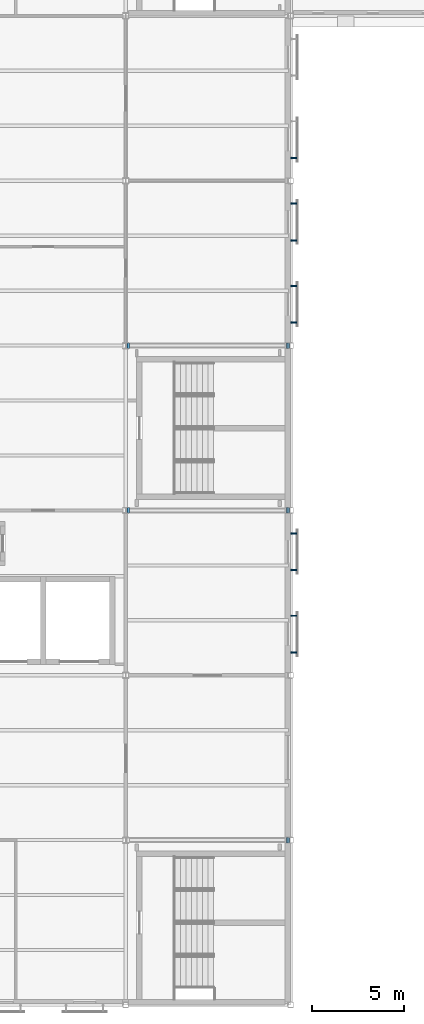
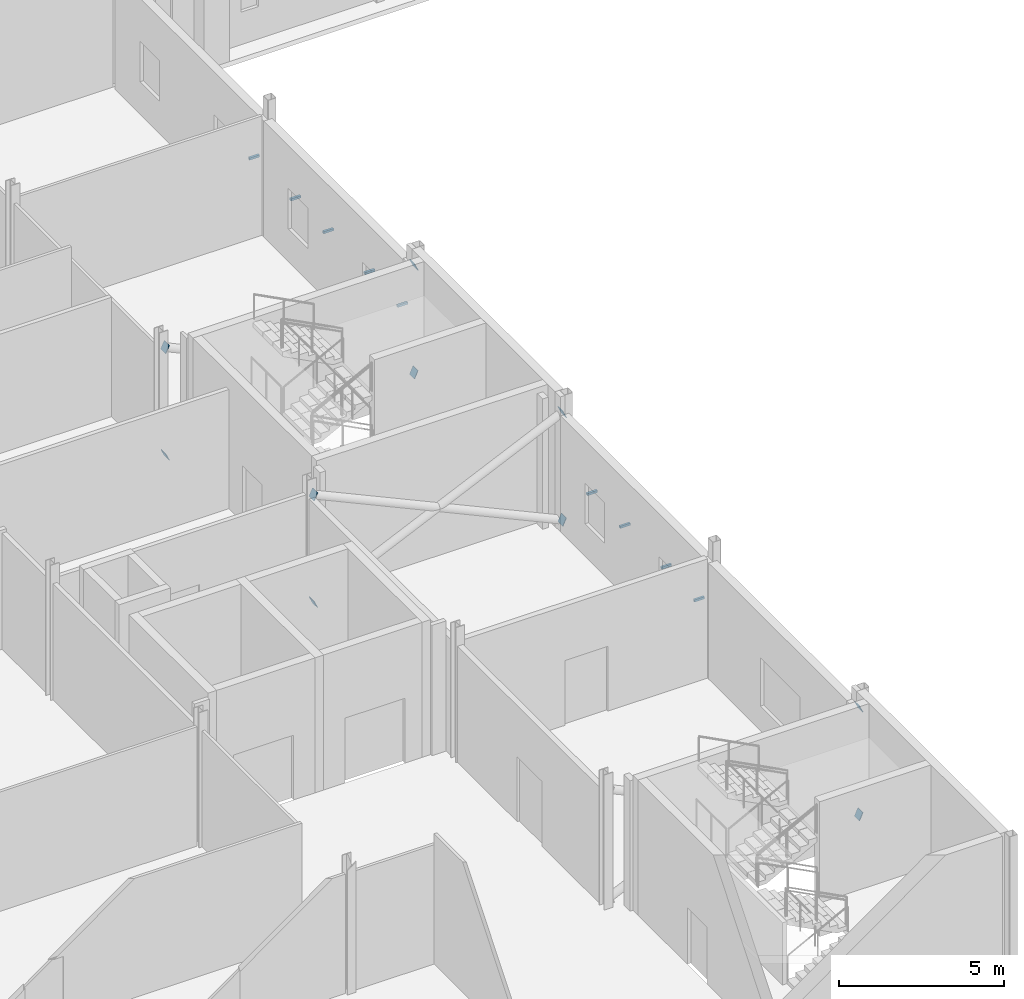
# One storey, part 98 of 112: 19 discrete accessories.
"""IFC4 building model written with IfcOpenShell, lengths in metres."""

from ifc_helpers import new_model, si_unit, direction, frame, origin, origin_2d, place, context, subcontext, project, spatial, polyline, rectangle, outline, extrude, material, layer, layer_set, type_object, element, save


model = new_model("IFC4")

# Units and contexts
model_context = context("Model", 3, precision=1e-05, world=origin(), true_north=direction((0.0, 1.0)))
body_context = subcontext(model_context, "Body", "Model", "MODEL_VIEW")
ifc_project = project(units=[si_unit("LENGTHUNIT", "METRE"), si_unit("AREAUNIT", "SQUARE_METRE"), si_unit("VOLUMEUNIT", "CUBIC_METRE"), si_unit("PLANEANGLEUNIT", "RADIAN"), si_unit("MASSUNIT", "GRAM", prefix="KILO")], contexts=[model_context])

# Site, building, storey
site_placement = place(None, origin())
site = spatial("IfcSite", under=ifc_project, at=site_placement, CompositionType="ELEMENT")
building_placement = place(site_placement, origin())
building = spatial("IfcBuilding", under=site, at=building_placement, Name="Shorebreak Coast Museum", CompositionType="ELEMENT")
storey_placement = place(building_placement, frame((0.0, 0.0, 6.0)))
storey = spatial("IfcBuildingStorey", under=building, at=storey_placement, Name="L01", CompositionType="ELEMENT", Elevation=6.0)

# Discrete accessories
ifc_material_1 = material(Name="Steel Grade 300", Category="steel")
ifc_layer = layer(ifc_material_1, 0.02490234375)
ifc_layer_set = layer_set([ifc_layer], Name="Steel Grade 300")
discrete_accessory_type_1 = type_object("IfcDiscreteAccessoryType", Name="End plate 300 x 300 x 25", PredefinedType="BRACKET", material=ifc_layer_set)
discrete_accessory_1_placement = place(storey_placement, frame((116.93505859375, 8.85009765625, 4.14892578125), z_axis=(0.909500839953, 0.0, 0.415702083378), x_axis=(0.0, 1.0, 0.0)))
element("IfcDiscreteAccessory", 1, at=discrete_accessory_1_placement, inside=storey, type_object=discrete_accessory_type_1, Name="End plate X-brace bay 14 L01 diagonal 1 end 2", PredefinedType="BRACKET", context=body_context, shape_type="SweptSolid", body=[
    extrude(outline(polyline([(0.0, 0.0), (0.2998046875, 0.0), (0.2998046875, 0.30010881437343706), (0.0, 0.30010881437343706), (0.0, 0.0)])), origin(), (0.0, 0.0, -1.0), 0.02490234375),
])
for number, where, z_axis, x_axis, name in (
    (2, (116.78759765625, 9.14990234375, 0.16357421875), (-0.909360103086, 0.0, 0.416009859156), (0.0, -1.0, 0.0), "End plate X-brace bay 14 L01 diagonal 2 end 1"),
    (3, (108.216796875, 26.85009765625, 0.16357421875), (0.909360103086, 0.0, 0.416009859156), (0.0, 1.0, 0.0), "End plate X-brace bay 17 L01 diagonal 1 end 1"),
):
    element("IfcDiscreteAccessory", number, at=place(storey_placement, frame(where, z_axis=z_axis, x_axis=x_axis)), inside=storey, type_object=discrete_accessory_type_1, Name=name, PredefinedType="BRACKET", context=body_context, shape_type="SweptSolid", body=[
        extrude(outline(polyline([(0.0, 0.0), (0.2998046875, 0.0), (0.2998046875, 0.29988678544336883), (0.0, 0.29988678544336883), (0.0, 0.0)])), origin(), (0.0, 0.0, -1.0), 0.02490234375),
    ])
discrete_accessory_2_placement = place(storey_placement, frame((116.93505859375, 26.85009765625, 4.14892578125), z_axis=(0.909500839953, 0.0, 0.415702083378), x_axis=(0.0, 1.0, 0.0)))
element("IfcDiscreteAccessory", 4, at=discrete_accessory_2_placement, inside=storey, type_object=discrete_accessory_type_1, Name="End plate X-brace bay 17 L01 diagonal 1 end 2", PredefinedType="BRACKET", context=body_context, shape_type="SweptSolid", body=[
    extrude(outline(polyline([(0.0, 0.0), (0.2998046875, 0.0), (0.2998046875, 0.30010881437343706), (0.0, 0.30010881437343706), (0.0, 0.0)])), origin(), (0.0, 0.0, -1.0), 0.02490234375),
])
discrete_accessory_3_placement = place(storey_placement, frame((116.78759765625, 27.14990234375, 0.16357421875), z_axis=(-0.909360103086, 0.0, 0.416009859156), x_axis=(0.0, -1.0, 0.0)))
element("IfcDiscreteAccessory", 5, at=discrete_accessory_3_placement, inside=storey, type_object=discrete_accessory_type_1, Name="End plate X-brace bay 17 L01 diagonal 2 end 1", PredefinedType="BRACKET", context=body_context, shape_type="SweptSolid", body=[
    extrude(outline(polyline([(0.0, 0.0), (0.2998046875, 0.0), (0.2998046875, 0.29988678544336883), (0.0, 0.29988678544336883), (0.0, 0.0)])), origin(), (0.0, 0.0, -1.0), 0.02490234375),
])
discrete_accessory_4_placement = place(storey_placement, frame((108.0693359375, 27.14990234375, 4.14892578125), z_axis=(-0.909500839953, 0.0, 0.415702083378), x_axis=(0.0, -1.0, 0.0)))
element("IfcDiscreteAccessory", 6, at=discrete_accessory_4_placement, inside=storey, type_object=discrete_accessory_type_1, Name="End plate X-brace bay 17 L01 diagonal 2 end 2", PredefinedType="BRACKET", context=body_context, shape_type="SweptSolid", body=[
    extrude(outline(polyline([(0.0, 0.0), (0.2998046875, 0.0), (0.2998046875, 0.30010881437343706), (0.0, 0.30010881437343706), (0.0, 0.0)])), origin(), (0.0, 0.0, -1.0), 0.02490234375),
])
discrete_accessory_5_placement = place(storey_placement, frame((108.216796875, 35.85009765625, 0.16357421875), z_axis=(0.909360103086, 0.0, 0.416009859156), x_axis=(0.0, 1.0, 0.0)))
element("IfcDiscreteAccessory", 7, at=discrete_accessory_5_placement, inside=storey, type_object=discrete_accessory_type_1, Name="End plate X-brace bay 18 L01 diagonal 1 end 1", PredefinedType="BRACKET", context=body_context, shape_type="SweptSolid", body=[
    extrude(outline(polyline([(0.0, 0.0), (0.2998046875, 0.0), (0.2998046875, 0.29988678544336883), (0.0, 0.29988678544336883), (0.0, 0.0)])), origin(), (0.0, 0.0, -1.0), 0.02490234375),
])
discrete_accessory_6_placement = place(storey_placement, frame((116.93505859375, 35.85009765625, 4.14892578125), z_axis=(0.909500839953, 0.0, 0.415702083378), x_axis=(0.0, 1.0, 0.0)))
element("IfcDiscreteAccessory", 8, at=discrete_accessory_6_placement, inside=storey, type_object=discrete_accessory_type_1, Name="End plate X-brace bay 18 L01 diagonal 1 end 2", PredefinedType="BRACKET", context=body_context, shape_type="SweptSolid", body=[
    extrude(outline(polyline([(0.0, 0.0), (0.2998046875, 0.0), (0.2998046875, 0.30010881437343706), (0.0, 0.30010881437343706), (0.0, 0.0)])), origin(), (0.0, 0.0, -1.0), 0.02490234375),
])
discrete_accessory_7_placement = place(storey_placement, frame((116.78759765625, 36.14990234375, 0.16357421875), z_axis=(-0.909360103086, 0.0, 0.416009859156), x_axis=(0.0, -1.0, 0.0)))
element("IfcDiscreteAccessory", 9, at=discrete_accessory_7_placement, inside=storey, type_object=discrete_accessory_type_1, Name="End plate X-brace bay 18 L01 diagonal 2 end 1", PredefinedType="BRACKET", context=body_context, shape_type="SweptSolid", body=[
    extrude(outline(polyline([(0.0, 0.0), (0.2998046875, 0.0), (0.2998046875, 0.29988678544336883), (0.0, 0.29988678544336883), (0.0, 0.0)])), origin(), (0.0, 0.0, -1.0), 0.02490234375),
])
discrete_accessory_8_placement = place(storey_placement, frame((108.0693359375, 36.14990234375, 4.14892578125), z_axis=(-0.909500839953, 0.0, 0.415702083378), x_axis=(0.0, -1.0, 0.0)))
element("IfcDiscreteAccessory", 10, at=discrete_accessory_8_placement, inside=storey, type_object=discrete_accessory_type_1, Name="End plate X-brace bay 18 L01 diagonal 2 end 2", PredefinedType="BRACKET", context=body_context, shape_type="SweptSolid", body=[
    extrude(outline(polyline([(0.0, 0.0), (0.2998046875, 0.0), (0.2998046875, 0.30010881437343706), (0.0, 0.30010881437343706), (0.0, 0.0)])), origin(), (0.0, 0.0, -1.0), 0.02490234375),
])
ifc_material_2 = material(Name="Aluminium", Category="aluminium")
discrete_accessory_type_2 = type_object("IfcDiscreteAccessoryType", Name="Fixing bracket 80 x 350", PredefinedType="BRACKET", material=ifc_material_2)
for number, where, z_axis, x_axis, name in (
    (11, (117.175048828125, 19.25, 1.909912109375), (0.0, 0.0, 1.0), (1.0, 0.0, 0.0), "Fixing bracket"),
    (12, (117.175048828125, 21.25, 1.909912109375), (0.0, 0.0, 1.0), (1.0, 0.0, 0.0), "Fixing bracket"),
    (13, (117.175048828125, 23.75, 1.909912109375), (0.0, 0.0, 1.0), (1.0, 0.0, 0.0), "Fixing bracket"),
    (14, (117.175048828125, 25.75, 1.909912109375), (0.0, 0.0, 1.0), (1.0, 0.0, 0.0), "Fixing bracket"),
    (15, (117.175048828125, 37.25, 1.909912109375), (0.0, 0.0, 1.0), (1.0, 0.0, 0.0), "Fixing bracket"),
    (16, (117.175048828125, 39.25, 1.909912109375), (0.0, 0.0, 1.0), (1.0, 0.0, 0.0), "Fixing bracket"),
    (17, (117.175048828125, 41.75, 1.909912109375), (0.0, 0.0, 1.0), (1.0, 0.0, 0.0), "Fixing bracket"),
    (18, (117.175048828125, 43.75, 1.909912109375), (0.0, 0.0, 1.0), (1.0, 0.0, 0.0), "Fixing bracket"),
    (19, (117.175048828125, 46.25, 1.909912109375), (0.0, 0.0, 1.0), (1.0, 0.0, 0.0), "Fixing bracket"),
):
    element("IfcDiscreteAccessory", number, at=place(storey_placement, frame(where, z_axis=z_axis, x_axis=x_axis)), inside=storey, type_object=discrete_accessory_type_2, Name=name, PredefinedType="BRACKET", context=body_context, shape_type="SweptSolid", body=[
        extrude(rectangle(XDim=0.35009765625, YDim=0.080078125, at=origin_2d()), origin(), (0.0, 0.0, 1.0), 0.080078125),
    ])

save(model, "model.ifc")
